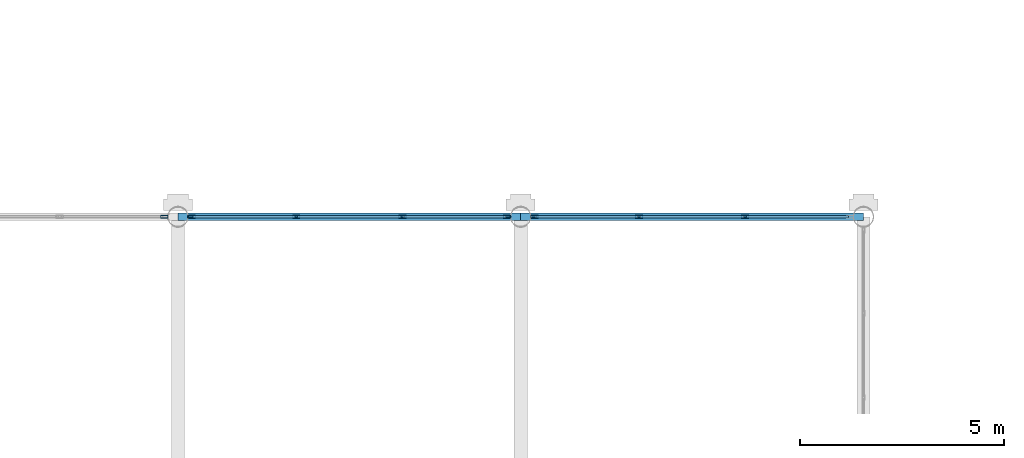
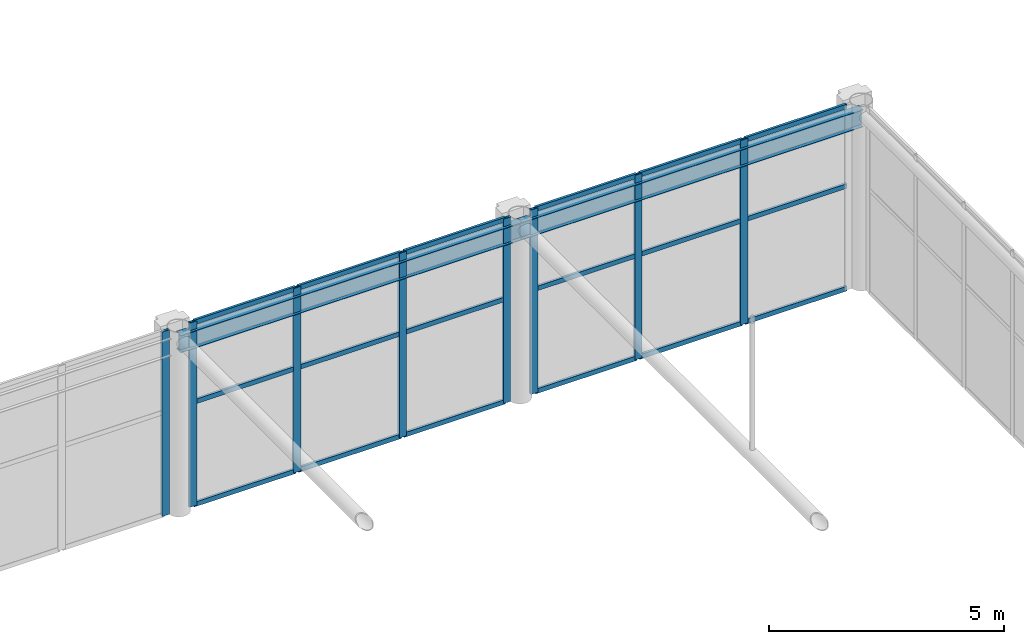
# One storey, part 114 of 167: 26 members, 2 beams, 3 elements without a shape of their own.
"""IFC4 building model written with IfcOpenShell, lengths in metres."""

import ifcopenshell
import ifcopenshell.guid

model = None  # the IFC model being written
_history = None  # IfcOwnerHistory: only IFC2X3 demands one
_inside = {}  # id of a spatial element -> (the spatial element, [elements in it])
_under = {}  # id of a project, library or spatial element -> (it, [spatial elements below it])
_declared = {}  # id of a project -> (the project, [libraries it declares])
_typed = {}  # id of a type object -> (the type object, [elements of that type])
_made_of = {}  # id of a material, layer set ... -> (it, [elements and type objects made of it])


def new_model(schema):
    """Start an empty IFC model of exactly this schema.

    Asked for "IFC4X3", IfcOpenShell would pick the latest addendum, in which some entities
    have other attributes; the version numbers below select the first issue.
    IFC2X3 requires an IfcOwnerHistory on every rooted entity: one is made here for all.
    """
    global model, _history
    if schema == "IFC4X3":
        model = ifcopenshell.file(schema_version=(4, 3, 0, 0))
    else:
        model = ifcopenshell.file(schema=schema)
    _inside.clear()
    _under.clear()
    _declared.clear()
    _typed.clear()
    _made_of.clear()
    _history = None
    if model.schema == "IFC2X3":
        org = make("IfcOrganization", Name="unknown")
        user = make(
            "IfcPersonAndOrganization",
            ThePerson=make("IfcPerson", FamilyName="unknown"),
            TheOrganization=org,
        )
        app = make(
            "IfcApplication",
            ApplicationDeveloper=org,
            Version="unknown",
            ApplicationFullName="unknown",
            ApplicationIdentifier="unknown",
        )
        _history = make(
            "IfcOwnerHistory",
            OwningUser=user,
            OwningApplication=app,
            ChangeAction="ADDED",
            CreationDate=0,
        )
    return model


def make(cls, **values):
    """One entity of the class cls with the attributes given. An attribute that is None is left unset."""
    return model.create_entity(
        cls, **{name: value for name, value in values.items() if value is not None}
    )


def rooted(cls, **values):
    """An entity with a GlobalId (a new one), such as an element, a storey or a relation."""
    return make(cls, GlobalId=ifcopenshell.guid.new(), OwnerHistory=_history, **values)


def si_unit(unit_type, name, prefix=None):
    """IfcSIUnit, for example si_unit("LENGTHUNIT", "METRE", prefix="MILLI")."""
    return make("IfcSIUnit", UnitType=unit_type, Prefix=prefix, Name=name)


def assignment(units):
    """IfcUnitAssignment: the units of a project."""
    return None if units is None else make("IfcUnitAssignment", Units=units)


def point(xyz):
    """IfcCartesianPoint."""
    return None if xyz is None else make("IfcCartesianPoint", Coordinates=xyz)


def direction(xyz):
    """IfcDirection."""
    return None if xyz is None else make("IfcDirection", DirectionRatios=xyz)


def frame(location, z_axis=None, x_axis=None):
    """IfcAxis2Placement3D, a coordinate frame: its origin and axes. An axis left out is left unset."""
    return make(
        "IfcAxis2Placement3D",
        Location=point(location),
        Axis=direction(z_axis),
        RefDirection=direction(x_axis),
    )


def frame_2d(location, x_axis=None):
    """IfcAxis2Placement2D, a coordinate frame in the plane: its origin and x axis."""
    return make(
        "IfcAxis2Placement2D", Location=point(location), RefDirection=direction(x_axis)
    )


def origin():
    """The frame at (0, 0, 0) with its axes left unset."""
    return frame((0.0, 0.0, 0.0))


def origin_2d():
    """The frame at (0, 0) in the plane with its x axis left unset."""
    return frame_2d((0.0, 0.0))


def place(relative_to, where):
    """IfcLocalPlacement: puts the frame where relative to a parent placement (None: the world)."""
    return make(
        "IfcLocalPlacement", PlacementRelTo=relative_to, RelativePlacement=where
    )


def context(
    kind, dimensions, precision=None, world=None, true_north=None, identifier=None
):
    """IfcGeometricRepresentationContext, for example the 3D "Model" context."""
    return make(
        "IfcGeometricRepresentationContext",
        ContextIdentifier=identifier,
        ContextType=kind,
        CoordinateSpaceDimension=dimensions,
        Precision=precision,
        WorldCoordinateSystem=world,
        TrueNorth=true_north,
    )


def subcontext(parent, identifier, kind, view, scale=None):
    """IfcGeometricRepresentationSubContext, for example "Body" below "Model"."""
    return make(
        "IfcGeometricRepresentationSubContext",
        ContextIdentifier=identifier,
        ContextType=kind,
        ParentContext=parent,
        TargetScale=scale,
        TargetView=view,
    )


def project(units=None, contexts=None):
    """IfcProject with its units and contexts."""
    return rooted(
        "IfcProject",
        Name="project",
        RepresentationContexts=contexts,
        UnitsInContext=assignment(units),
    )


def spatial(cls, under=None, at=None, **own):
    """A site, building, storey or space (cls), placed at a placement, below another one or the project."""
    s = rooted(cls, ObjectPlacement=at, **own)
    if under is not None:
        _under.setdefault(under.id(), (under, []))[1].append(s)
    return s


def profile(cls, at=None, kind="AREA", **sizes):
    """A parametric profile (cls). Its sizes go by their IFC names, for example OverallWidth=200.0."""
    return make(cls, ProfileType=kind, Position=at, **sizes)


def hollow_rectangle(**sizes):
    """IfcRectangleHollowProfileDef."""
    return profile("IfcRectangleHollowProfileDef", **sizes)


def i_section(**sizes):
    """IfcIShapeProfileDef."""
    return profile("IfcIShapeProfileDef", **sizes)


def extrude(swept, where, along, depth):
    """IfcExtrudedAreaSolid: the profile swept, set in the frame where, extruded along a direction by depth."""
    return make(
        "IfcExtrudedAreaSolid",
        SweptArea=swept,
        Position=where,
        ExtrudedDirection=direction(along),
        Depth=depth,
    )


def shape(context_of_items, identifier, shape_type, items):
    """IfcShapeRepresentation: the items that make up one representation, for example the "Body"."""
    return make(
        "IfcShapeRepresentation",
        ContextOfItems=context_of_items,
        RepresentationIdentifier=identifier,
        RepresentationType=shape_type,
        Items=items,
    )


def material(Name=None, Category=None):
    """IfcMaterial."""
    return make("IfcMaterial", Name=Name, Category=Category)


def material_profile(
    of_material, cross_section, Name=None, Category=None, Priority=None
):
    """IfcMaterialProfile: a cross section and its material."""
    return make(
        "IfcMaterialProfile",
        Name=Name,
        Material=of_material,
        Profile=cross_section,
        Priority=Priority,
        Category=Category,
    )


def profile_set(profiles, Name=None, composite=None):
    """IfcMaterialProfileSet."""
    return make(
        "IfcMaterialProfileSet",
        Name=Name,
        MaterialProfiles=profiles,
        CompositeProfile=composite,
    )


def made_of(thing, what):
    """Note that an element or type object is made of a material, layer set ...; save() writes the relation."""
    if what is not None:
        _made_of.setdefault(what.id(), (what, []))[1].append(thing)
    return thing


def type_object(cls, material=None, **own):
    """A type object (cls), such as IfcWallType, which elements share."""
    return made_of(rooted(cls, **own), material)


def element(
    cls,
    number,
    at=None,
    inside=None,
    cuts=None,
    type_object=None,
    material=None,
    context=None,
    identifier="Body",
    shape_type=None,
    held_by="IfcProductDefinitionShape",
    body=None,
    shapes=None,
    **own,
):
    """One element of the class cls, such as IfcWall. Its Tag is "e" and its number.

    at: its placement. inside: the storey or other place that contains it. cuts: it is an
    opening in that element (IfcRelVoidsElement). A single representation is given by context,
    identifier, shape_type and body (its items); several are given by shapes. held_by: the class
    of the entity that holds the representations. save() writes the other relations.
    """
    e = rooted(cls, Tag="e%d" % number, ObjectPlacement=at, **own)
    if body is not None:
        shapes = [shape(context, identifier, shape_type, body)]
    if shapes is not None:
        e.Representation = make(held_by, Representations=shapes)
    if inside is not None:
        _inside.setdefault(inside.id(), (inside, []))[1].append(e)
    if cuts is not None:
        rooted(
            "IfcRelVoidsElement", RelatingBuildingElement=cuts, RelatedOpeningElement=e
        )
    if type_object is not None:
        _typed.setdefault(type_object.id(), (type_object, []))[1].append(e)
    return made_of(e, material)


def aggregate(whole, parts):
    """IfcRelAggregates: a whole, such as a stair, and the parts it consists of."""
    return rooted("IfcRelAggregates", RelatingObject=whole, RelatedObjects=parts)


def save(model, path):
    """Write the relations noted so far, then the file.

    IfcRelAggregates (storeys below a building ...), IfcRelContainedInSpatialStructure (elements
    in a storey), IfcRelDefinesByType, IfcRelAssociatesMaterial and IfcRelDeclares: one each for
    every whole, place, type object, material and project.
    """
    for whole, parts in _under.values():
        aggregate(whole, parts)
    for where, things in _inside.values():
        rooted(
            "IfcRelContainedInSpatialStructure",
            RelatedElements=things,
            RelatingStructure=where,
        )
    for kind, things in _typed.values():
        rooted("IfcRelDefinesByType", RelatedObjects=things, RelatingType=kind)
    for what, things in _made_of.values():
        rooted("IfcRelAssociatesMaterial", RelatedObjects=things, RelatingMaterial=what)
    for by, libraries in _declared.values():
        rooted("IfcRelDeclares", RelatingContext=by, RelatedDefinitions=libraries)
    model.write(path)


model = new_model("IFC4")

# Units and contexts
model_context = context("Model", 3, precision=1e-05, world=origin(), true_north=direction((0.0, 1.0)))
body_context = subcontext(model_context, "Body", "Model", "MODEL_VIEW")
ifc_project = project(units=[si_unit("LENGTHUNIT", "METRE"), si_unit("AREAUNIT", "SQUARE_METRE"), si_unit("VOLUMEUNIT", "CUBIC_METRE"), si_unit("PLANEANGLEUNIT", "RADIAN"), si_unit("MASSUNIT", "GRAM", prefix="KILO")], contexts=[model_context])

# Site, building, storey
site_placement = place(None, origin())
site = spatial("IfcSite", under=ifc_project, at=site_placement, CompositionType="ELEMENT")
building_placement = place(site_placement, origin())
building = spatial("IfcBuilding", under=site, at=building_placement, Name="Catenary Quay Ferry Terminal", CompositionType="ELEMENT")
storey_placement = place(building_placement, frame((0.0, 0.0, 6.0)))
storey = spatial("IfcBuildingStorey", under=building, at=storey_placement, Name="L01", CompositionType="ELEMENT", Elevation=6.0)

# Beams
ifc_material_1 = material(Name="Steel S355", Category="steel")
ifc_material_profile_1 = material_profile(ifc_material_1, i_section(OverallWidth=0.18994140625, OverallDepth=0.453369140625, WebThickness=0.008544921875, FlangeThickness=0.0126953125, at=origin_2d()), Name="UB 457x191x67")
ifc_profile_set_1 = profile_set([ifc_material_profile_1], Name="Steel S355")
beam_type = type_object("IfcBeamType", Name="B1 UB 457x191x67", PredefinedType="BEAM", material=ifc_profile_set_1)
for number, where, z_axis, x_axis, name in (
    (1, (75.60009765625, 142.800048828125, 4.373046875), (1.0, 0.0, 0.0), (0.0, 1.0, 0.0), "Beam B1-031"),
    (2, (84.0, 142.800048828125, 4.373046875), (1.0, 0.0, 0.0), (0.0, 1.0, 0.0), "Beam B1-032"),
):
    element("IfcBeam", number, at=place(storey_placement, frame(where, z_axis=z_axis, x_axis=x_axis)), inside=storey, type_object=beam_type, Name=name, PredefinedType="BEAM", context=body_context, shape_type="SweptSolid", body=[
        extrude(i_section(OverallWidth=0.18994140625, OverallDepth=0.453369140625, WebThickness=0.008544921875, FlangeThickness=0.0126953125, at=origin_2d()), origin(), (0.0, 0.0, 1.0), 8.39990234375),
    ])

# Curtain wall, member
ifc_material_2 = material(Name="Aluminium and glass", Category="aluminium")
curtain_wall_type = type_object("IfcCurtainWallType", Name="CWH", PredefinedType="NOTDEFINED", material=ifc_material_2)
curtain_wall_1_placement = place(storey_placement, origin())
curtain_wall_1 = element("IfcCurtainWall", 3, at=curtain_wall_1_placement, inside=storey, type_object=curtain_wall_type, Name="Hall curtain wall CW53", PredefinedType="NOTDEFINED")
ifc_material_3 = material(Name="Aluminium", Category="aluminium")
ifc_material_profile_2 = material_profile(ifc_material_3, hollow_rectangle(XDim=0.070068359375, YDim=0.179931640625, WallThickness=0.006103515625, at=origin_2d()), Name="MU3")
ifc_profile_set_2 = profile_set([ifc_material_profile_2], Name="Aluminium")
member_type_1 = type_object("IfcMemberType", Name="MU3", PredefinedType="MULLION", material=ifc_profile_set_2)
member_1_placement = place(storey_placement, frame((75.264892578125, 142.800048828125, 0.0), z_axis=(0.0, 0.0, 1.0), x_axis=(0.0, 1.0, 0.0)))
member_1 = element("IfcMember", 4, at=member_1_placement, type_object=member_type_1, Name="CW53 mullion 4", PredefinedType="MULLION", context=body_context, shape_type="SweptSolid", body=[
    extrude(hollow_rectangle(XDim=0.070068359375, YDim=0.179931640625, WallThickness=0.006103515625, at=origin_2d()), origin(), (0.0, 0.0, 1.0), 4.800048828125),
])
aggregate(curtain_wall_1, [member_1])

# Curtain wall, members
curtain_wall_2_placement = place(storey_placement, origin())
curtain_wall_2 = element("IfcCurtainWall", 5, at=curtain_wall_2_placement, inside=storey, type_object=curtain_wall_type, Name="Hall curtain wall CW54", PredefinedType="NOTDEFINED")
member_2_placement = place(storey_placement, frame((75.93505859375, 142.800048828125, 0.0), z_axis=(0.0, 0.0, 1.0), x_axis=(0.0, 1.0, 0.0)))
member_2 = element("IfcMember", 6, at=member_2_placement, type_object=member_type_1, Name="CW54 mullion 1", PredefinedType="MULLION", context=body_context, shape_type="SweptSolid", body=[
    extrude(hollow_rectangle(XDim=0.070068359375, YDim=0.179931640625, WallThickness=0.006103515625, at=origin_2d()), origin(), (0.0, 0.0, 1.0), 4.800048828125),
])
member_3_placement = place(storey_placement, frame((78.5, 142.800048828125, 0.0), z_axis=(0.0, 0.0, 1.0), x_axis=(0.0, 1.0, 0.0)))
member_3 = element("IfcMember", 7, at=member_3_placement, type_object=member_type_1, Name="CW54 mullion 2", PredefinedType="MULLION", context=body_context, shape_type="SweptSolid", body=[
    extrude(hollow_rectangle(XDim=0.070068359375, YDim=0.179931640625, WallThickness=0.006103515625, at=origin_2d()), origin(), (0.0, 0.0, 1.0), 4.800048828125),
])
member_4_placement = place(storey_placement, frame((81.10009765625, 142.800048828125, 0.0), z_axis=(0.0, 0.0, 1.0), x_axis=(0.0, 1.0, 0.0)))
member_4 = element("IfcMember", 8, at=member_4_placement, type_object=member_type_1, Name="CW54 mullion 3", PredefinedType="MULLION", context=body_context, shape_type="SweptSolid", body=[
    extrude(hollow_rectangle(XDim=0.070068359375, YDim=0.179931640625, WallThickness=0.006103515625, at=origin_2d()), origin(), (0.0, 0.0, 1.0), 4.800048828125),
])
member_5_placement = place(storey_placement, frame((83.6650390625, 142.800048828125, 0.0), z_axis=(0.0, 0.0, 1.0), x_axis=(0.0, 1.0, 0.0)))
member_5 = element("IfcMember", 9, at=member_5_placement, type_object=member_type_1, Name="CW54 mullion 4", PredefinedType="MULLION", context=body_context, shape_type="SweptSolid", body=[
    extrude(hollow_rectangle(XDim=0.070068359375, YDim=0.179931640625, WallThickness=0.006103515625, at=origin_2d()), origin(), (0.0, 0.0, 1.0), 4.800048828125),
])

curtain_wall_3_placement = place(storey_placement, origin())
curtain_wall_3 = element("IfcCurtainWall", 10, at=curtain_wall_3_placement, inside=storey, type_object=curtain_wall_type, Name="Hall curtain wall CW55", PredefinedType="NOTDEFINED")
member_6_placement = place(storey_placement, frame((84.3349609375, 142.800048828125, 0.0), z_axis=(0.0, 0.0, 1.0), x_axis=(0.0, 1.0, 0.0)))
member_6 = element("IfcMember", 11, at=member_6_placement, type_object=member_type_1, Name="CW55 mullion 1", PredefinedType="MULLION", context=body_context, shape_type="SweptSolid", body=[
    extrude(hollow_rectangle(XDim=0.070068359375, YDim=0.179931640625, WallThickness=0.006103515625, at=origin_2d()), origin(), (0.0, 0.0, 1.0), 4.800048828125),
])
member_7_placement = place(storey_placement, frame((86.89990234375, 142.800048828125, 0.0), z_axis=(0.0, 0.0, 1.0), x_axis=(0.0, 1.0, 0.0)))
member_7 = element("IfcMember", 12, at=member_7_placement, type_object=member_type_1, Name="CW55 mullion 2", PredefinedType="MULLION", context=body_context, shape_type="SweptSolid", body=[
    extrude(hollow_rectangle(XDim=0.070068359375, YDim=0.179931640625, WallThickness=0.006103515625, at=origin_2d()), origin(), (0.0, 0.0, 1.0), 4.800048828125),
])
member_8_placement = place(storey_placement, frame((89.5, 142.800048828125, 0.0), z_axis=(0.0, 0.0, 1.0), x_axis=(0.0, 1.0, 0.0)))
member_8 = element("IfcMember", 13, at=member_8_placement, type_object=member_type_1, Name="CW55 mullion 3", PredefinedType="MULLION", context=body_context, shape_type="SweptSolid", body=[
    extrude(hollow_rectangle(XDim=0.070068359375, YDim=0.179931640625, WallThickness=0.006103515625, at=origin_2d()), origin(), (0.0, 0.0, 1.0), 4.800048828125),
])

# Member
ifc_material_4 = material(Name="Aluminium", Category="aluminium")
ifc_material_profile_3 = material_profile(ifc_material_4, hollow_rectangle(XDim=0.06005859375, YDim=0.1201171875, WallThickness=0.0048828125, at=origin_2d()), Name="TR3")
ifc_profile_set_3 = profile_set([ifc_material_profile_3], Name="Aluminium")
member_type_2 = type_object("IfcMemberType", Name="TR3", PredefinedType="USERDEFINED", material=ifc_profile_set_3)
member_9_placement = place(storey_placement, frame((75.969970703125, 142.800048828125, 0.030029296875), z_axis=(1.0, 0.0, 0.0), x_axis=(0.0, 1.0, 0.0)))
member_9 = element("IfcMember", 14, at=member_9_placement, type_object=member_type_2, Name="CW54 transom 1.1", ObjectType="TRANSOM", PredefinedType="USERDEFINED", context=body_context, shape_type="SweptSolid", body=[
    extrude(hollow_rectangle(XDim=0.06005859375, YDim=0.1201171875, WallThickness=0.0048828125, at=origin_2d()), origin(), (0.0, 0.0, 1.0), 2.4951171875),
])

member_10_placement = place(storey_placement, frame((75.969970703125, 142.800048828125, 2.699951171875), z_axis=(1.0, 0.0, 0.0), x_axis=(0.0, 1.0, 0.0)))
member_10 = element("IfcMember", 15, at=member_10_placement, type_object=member_type_2, Name="CW54 transom 1.2", ObjectType="TRANSOM", PredefinedType="USERDEFINED", context=body_context, shape_type="SweptSolid", body=[
    extrude(hollow_rectangle(XDim=0.06005859375, YDim=0.1201171875, WallThickness=0.0048828125, at=origin_2d()), origin(), (0.0, 0.0, 1.0), 2.4951171875),
])

member_11_placement = place(storey_placement, frame((75.969970703125, 142.800048828125, 4.77001953125), z_axis=(1.0, 0.0, 0.0), x_axis=(0.0, 1.0, 0.0)))
member_11 = element("IfcMember", 16, at=member_11_placement, type_object=member_type_2, Name="CW54 transom 1.3", ObjectType="TRANSOM", PredefinedType="USERDEFINED", context=body_context, shape_type="SweptSolid", body=[
    extrude(hollow_rectangle(XDim=0.06005859375, YDim=0.1201171875, WallThickness=0.0048828125, at=origin_2d()), origin(), (0.0, 0.0, 1.0), 2.4951171875),
])

member_12_placement = place(storey_placement, frame((78.534912109375, 142.800048828125, 0.030029296875), z_axis=(1.0, 0.0, 0.0), x_axis=(0.0, 1.0, 0.0)))
member_12 = element("IfcMember", 17, at=member_12_placement, type_object=member_type_2, Name="CW54 transom 2.1", ObjectType="TRANSOM", PredefinedType="USERDEFINED", context=body_context, shape_type="SweptSolid", body=[
    extrude(hollow_rectangle(XDim=0.06005859375, YDim=0.1201171875, WallThickness=0.0048828125, at=origin_2d()), origin(), (0.0, 0.0, 1.0), 2.530029296875),
])

member_13_placement = place(storey_placement, frame((78.534912109375, 142.800048828125, 2.699951171875), z_axis=(1.0, 0.0, 0.0), x_axis=(0.0, 1.0, 0.0)))
member_13 = element("IfcMember", 18, at=member_13_placement, type_object=member_type_2, Name="CW54 transom 2.2", ObjectType="TRANSOM", PredefinedType="USERDEFINED", context=body_context, shape_type="SweptSolid", body=[
    extrude(hollow_rectangle(XDim=0.06005859375, YDim=0.1201171875, WallThickness=0.0048828125, at=origin_2d()), origin(), (0.0, 0.0, 1.0), 2.530029296875),
])

member_14_placement = place(storey_placement, frame((78.534912109375, 142.800048828125, 4.77001953125), z_axis=(1.0, 0.0, 0.0), x_axis=(0.0, 1.0, 0.0)))
member_14 = element("IfcMember", 19, at=member_14_placement, type_object=member_type_2, Name="CW54 transom 2.3", ObjectType="TRANSOM", PredefinedType="USERDEFINED", context=body_context, shape_type="SweptSolid", body=[
    extrude(hollow_rectangle(XDim=0.06005859375, YDim=0.1201171875, WallThickness=0.0048828125, at=origin_2d()), origin(), (0.0, 0.0, 1.0), 2.530029296875),
])

member_15_placement = place(storey_placement, frame((81.135009765625, 142.800048828125, 0.030029296875), z_axis=(1.0, 0.0, 0.0), x_axis=(0.0, 1.0, 0.0)))
member_15 = element("IfcMember", 20, at=member_15_placement, type_object=member_type_2, Name="CW54 transom 3.1", ObjectType="TRANSOM", PredefinedType="USERDEFINED", context=body_context, shape_type="SweptSolid", body=[
    extrude(hollow_rectangle(XDim=0.06005859375, YDim=0.1201171875, WallThickness=0.0048828125, at=origin_2d()), origin(), (0.0, 0.0, 1.0), 2.494873046875),
])

member_16_placement = place(storey_placement, frame((81.135009765625, 142.800048828125, 2.699951171875), z_axis=(1.0, 0.0, 0.0), x_axis=(0.0, 1.0, 0.0)))
member_16 = element("IfcMember", 21, at=member_16_placement, type_object=member_type_2, Name="CW54 transom 3.2", ObjectType="TRANSOM", PredefinedType="USERDEFINED", context=body_context, shape_type="SweptSolid", body=[
    extrude(hollow_rectangle(XDim=0.06005859375, YDim=0.1201171875, WallThickness=0.0048828125, at=origin_2d()), origin(), (0.0, 0.0, 1.0), 2.494873046875),
])

member_17_placement = place(storey_placement, frame((81.135009765625, 142.800048828125, 4.77001953125), z_axis=(1.0, 0.0, 0.0), x_axis=(0.0, 1.0, 0.0)))
member_17 = element("IfcMember", 22, at=member_17_placement, type_object=member_type_2, Name="CW54 transom 3.3", ObjectType="TRANSOM", PredefinedType="USERDEFINED", context=body_context, shape_type="SweptSolid", body=[
    extrude(hollow_rectangle(XDim=0.06005859375, YDim=0.1201171875, WallThickness=0.0048828125, at=origin_2d()), origin(), (0.0, 0.0, 1.0), 2.494873046875),
])

aggregate(curtain_wall_2, [member_2, member_3, member_4, member_5, member_9, member_10, member_11, member_12, member_13, member_14, member_15, member_16, member_17])

member_18_placement = place(storey_placement, frame((84.3701171875, 142.800048828125, 0.030029296875), z_axis=(1.0, 0.0, 0.0), x_axis=(0.0, 1.0, 0.0)))
member_18 = element("IfcMember", 23, at=member_18_placement, type_object=member_type_2, Name="CW55 transom 1.1", ObjectType="TRANSOM", PredefinedType="USERDEFINED", context=body_context, shape_type="SweptSolid", body=[
    extrude(hollow_rectangle(XDim=0.06005859375, YDim=0.1201171875, WallThickness=0.0048828125, at=origin_2d()), origin(), (0.0, 0.0, 1.0), 2.494873046875),
])

member_19_placement = place(storey_placement, frame((84.3701171875, 142.800048828125, 2.699951171875), z_axis=(1.0, 0.0, 0.0), x_axis=(0.0, 1.0, 0.0)))
member_19 = element("IfcMember", 24, at=member_19_placement, type_object=member_type_2, Name="CW55 transom 1.2", ObjectType="TRANSOM", PredefinedType="USERDEFINED", context=body_context, shape_type="SweptSolid", body=[
    extrude(hollow_rectangle(XDim=0.06005859375, YDim=0.1201171875, WallThickness=0.0048828125, at=origin_2d()), origin(), (0.0, 0.0, 1.0), 2.494873046875),
])

member_20_placement = place(storey_placement, frame((84.3701171875, 142.800048828125, 4.77001953125), z_axis=(1.0, 0.0, 0.0), x_axis=(0.0, 1.0, 0.0)))
member_20 = element("IfcMember", 25, at=member_20_placement, type_object=member_type_2, Name="CW55 transom 1.3", ObjectType="TRANSOM", PredefinedType="USERDEFINED", context=body_context, shape_type="SweptSolid", body=[
    extrude(hollow_rectangle(XDim=0.06005859375, YDim=0.1201171875, WallThickness=0.0048828125, at=origin_2d()), origin(), (0.0, 0.0, 1.0), 2.494873046875),
])

member_21_placement = place(storey_placement, frame((86.93505859375, 142.800048828125, 0.030029296875), z_axis=(1.0, 0.0, 0.0), x_axis=(0.0, 1.0, 0.0)))
member_21 = element("IfcMember", 26, at=member_21_placement, type_object=member_type_2, Name="CW55 transom 2.1", ObjectType="TRANSOM", PredefinedType="USERDEFINED", context=body_context, shape_type="SweptSolid", body=[
    extrude(hollow_rectangle(XDim=0.06005859375, YDim=0.1201171875, WallThickness=0.0048828125, at=origin_2d()), origin(), (0.0, 0.0, 1.0), 2.530029296875),
])

member_22_placement = place(storey_placement, frame((86.93505859375, 142.800048828125, 2.699951171875), z_axis=(1.0, 0.0, 0.0), x_axis=(0.0, 1.0, 0.0)))
member_22 = element("IfcMember", 27, at=member_22_placement, type_object=member_type_2, Name="CW55 transom 2.2", ObjectType="TRANSOM", PredefinedType="USERDEFINED", context=body_context, shape_type="SweptSolid", body=[
    extrude(hollow_rectangle(XDim=0.06005859375, YDim=0.1201171875, WallThickness=0.0048828125, at=origin_2d()), origin(), (0.0, 0.0, 1.0), 2.530029296875),
])

member_23_placement = place(storey_placement, frame((86.93505859375, 142.800048828125, 4.77001953125), z_axis=(1.0, 0.0, 0.0), x_axis=(0.0, 1.0, 0.0)))
member_23 = element("IfcMember", 28, at=member_23_placement, type_object=member_type_2, Name="CW55 transom 2.3", ObjectType="TRANSOM", PredefinedType="USERDEFINED", context=body_context, shape_type="SweptSolid", body=[
    extrude(hollow_rectangle(XDim=0.06005859375, YDim=0.1201171875, WallThickness=0.0048828125, at=origin_2d()), origin(), (0.0, 0.0, 1.0), 2.530029296875),
])

member_24_placement = place(storey_placement, frame((89.534912109375, 142.800048828125, 0.030029296875), z_axis=(1.0, 0.0, 0.0), x_axis=(0.0, 1.0, 0.0)))
member_24 = element("IfcMember", 29, at=member_24_placement, type_object=member_type_2, Name="CW55 transom 3.1", ObjectType="TRANSOM", PredefinedType="USERDEFINED", context=body_context, shape_type="SweptSolid", body=[
    extrude(hollow_rectangle(XDim=0.06005859375, YDim=0.1201171875, WallThickness=0.0048828125, at=origin_2d()), origin(), (0.0, 0.0, 1.0), 2.4951171875),
])

member_25_placement = place(storey_placement, frame((89.534912109375, 142.800048828125, 2.699951171875), z_axis=(1.0, 0.0, 0.0), x_axis=(0.0, 1.0, 0.0)))
member_25 = element("IfcMember", 30, at=member_25_placement, type_object=member_type_2, Name="CW55 transom 3.2", ObjectType="TRANSOM", PredefinedType="USERDEFINED", context=body_context, shape_type="SweptSolid", body=[
    extrude(hollow_rectangle(XDim=0.06005859375, YDim=0.1201171875, WallThickness=0.0048828125, at=origin_2d()), origin(), (0.0, 0.0, 1.0), 2.4951171875),
])

member_26_placement = place(storey_placement, frame((89.534912109375, 142.800048828125, 4.77001953125), z_axis=(1.0, 0.0, 0.0), x_axis=(0.0, 1.0, 0.0)))
member_26 = element("IfcMember", 31, at=member_26_placement, type_object=member_type_2, Name="CW55 transom 3.3", ObjectType="TRANSOM", PredefinedType="USERDEFINED", context=body_context, shape_type="SweptSolid", body=[
    extrude(hollow_rectangle(XDim=0.06005859375, YDim=0.1201171875, WallThickness=0.0048828125, at=origin_2d()), origin(), (0.0, 0.0, 1.0), 2.4951171875),
])

aggregate(curtain_wall_3, [member_6, member_7, member_8, member_18, member_19, member_20, member_21, member_22, member_23, member_24, member_25, member_26])

save(model, "model.ifc")
